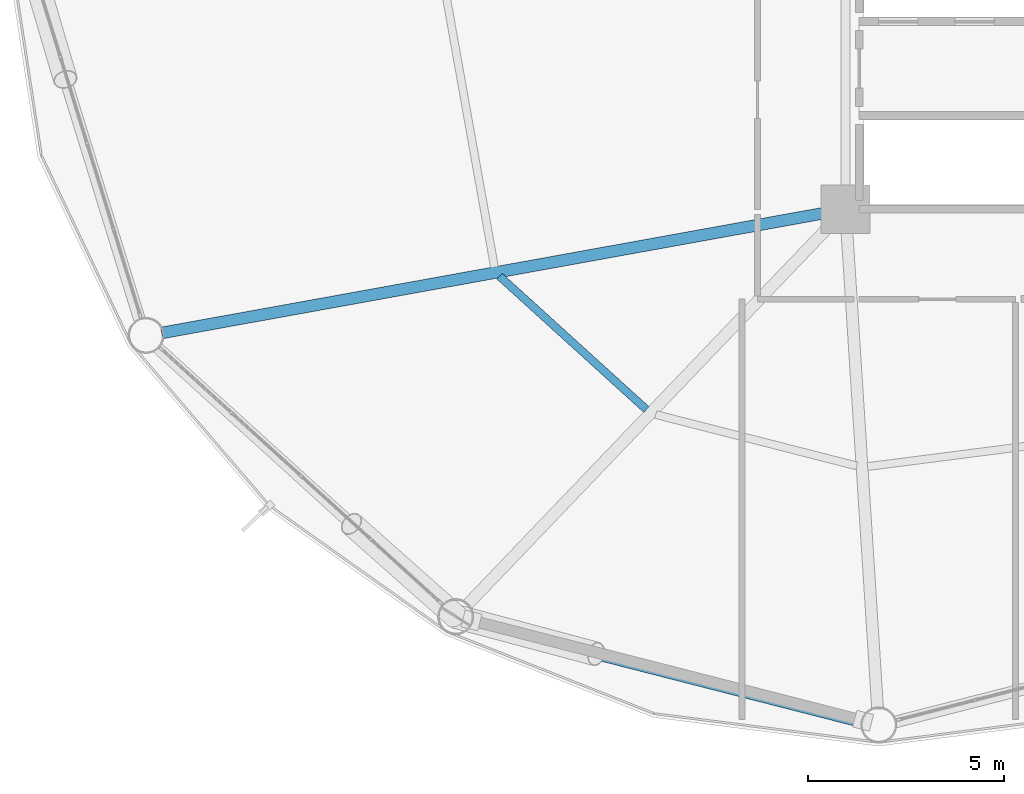
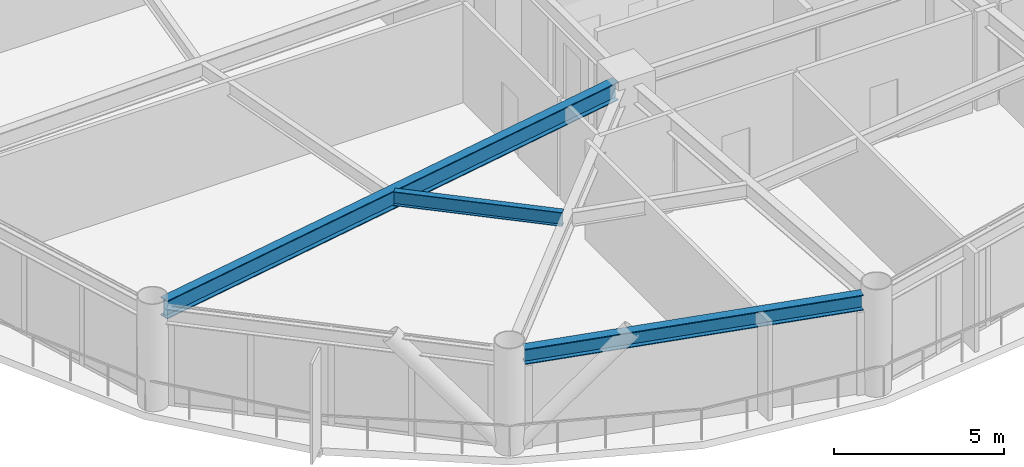
# One storey, part 4 of 25: 3 beams.
"""IFC4 building model written with IfcOpenShell, lengths in metres."""

from ifc_helpers import new_model, si_unit, direction, frame, origin, origin_2d, place, context, subcontext, project, spatial, i_section, extrude, material, material_profile, profile_set, type_object, element, save


model = new_model("IFC4")

# Units and contexts
model_context = context("Model", 3, precision=1e-05, world=origin(), true_north=direction((0.0, 1.0)))
body_context = subcontext(model_context, "Body", "Model", "MODEL_VIEW")
ifc_project = project(units=[si_unit("LENGTHUNIT", "METRE"), si_unit("AREAUNIT", "SQUARE_METRE"), si_unit("VOLUMEUNIT", "CUBIC_METRE"), si_unit("PLANEANGLEUNIT", "RADIAN"), si_unit("MASSUNIT", "GRAM", prefix="KILO")], contexts=[model_context])

# Site, building, storey
site_placement = place(None, origin())
site = spatial("IfcSite", under=ifc_project, at=site_placement, CompositionType="ELEMENT")
building_placement = place(site_placement, origin())
building = spatial("IfcBuilding", under=site, at=building_placement, Name="Varnakorn Sky Granary", CompositionType="ELEMENT")
storey_placement = place(building_placement, frame((0.0, 0.0, 74.39990234375)))
storey = spatial("IfcBuildingStorey", under=building, at=storey_placement, Name="L18", CompositionType="ELEMENT", Elevation=74.39990234375)

# Beams
ifc_material = material(Name="Steel S355JR", Category="steel")
ifc_material_profile_1 = material_profile(ifc_material, i_section(OverallWidth=0.300048828125, OverallDepth=0.64990234375, WebThickness=0.01611328125, FlangeThickness=0.031005859375, at=origin_2d()), Name="HE 650 B")
ifc_profile_set_1 = profile_set([ifc_material_profile_1], Name="Steel S355JR")
beam_type_1 = type_object("IfcBeamType", Name="BM-RAD-Z1", PredefinedType="BEAM", material=ifc_profile_set_1)
beam_1_placement = place(storey_placement, frame((-2.76318359375, -6.6748046875, 3.22509765625), z_axis=(-0.984031600185, -0.177993847749, 0.0), x_axis=(0.177993847749, -0.984031600185, 0.0)))
element("IfcBeam", 1, at=beam_1_placement, inside=storey, type_object=beam_type_1, Name="Radial Floor Girder RG08 L18", PredefinedType="BEAM", context=body_context, shape_type="SweptSolid", body=[
    extrude(i_section(OverallWidth=0.300048828125, OverallDepth=0.64990234375, WebThickness=0.01611328125, FlangeThickness=0.031005859375, at=origin_2d()), origin(), (0.0, 0.0, 1.0), 17.35107421875),
])
ifc_material_profile_2 = material_profile(ifc_material, i_section(OverallWidth=0.199951171875, OverallDepth=0.5, WebThickness=0.01025390625, FlangeThickness=0.01611328125, at=origin_2d()), Name="IPE 500")
ifc_profile_set_2 = profile_set([ifc_material_profile_2], Name="Steel S355JR")
beam_type_2 = type_object("IfcBeamType", Name="BM-SEC-Z1", PredefinedType="BEAM", material=ifc_profile_set_2)
beam_2_placement = place(storey_placement, frame((-11.196533203125, -8.31298828125, 3.300048828125), z_axis=(0.740569176619, -0.671980129649, 0.0), x_axis=(0.671980129649, 0.740569176619, 0.0)))
element("IfcBeam", 2, at=beam_2_placement, inside=storey, type_object=beam_type_2, Name="Secondary Floor Chord Beam MSB08 L18", PredefinedType="BEAM", context=body_context, shape_type="SweptSolid", body=[
    extrude(i_section(OverallWidth=0.199951171875, OverallDepth=0.5, WebThickness=0.01025390625, FlangeThickness=0.01611328125, at=origin_2d()), origin(), (0.0, 0.0, 1.0), 5.072265625),
])
ifc_material_profile_3 = material_profile(ifc_material, i_section(OverallWidth=0.300048828125, OverallDepth=0.550048828125, WebThickness=0.014892578125, FlangeThickness=0.029052734375, at=origin_2d()), Name="HE 550 B")
ifc_profile_set_3 = profile_set([ifc_material_profile_3], Name="Steel S355JR")
beam_type_3 = type_object("IfcBeamType", Name="BM-SPD-Z1", PredefinedType="SPANDREL", material=ifc_profile_set_3)
beam_3_placement = place(storey_placement, frame((-11.909912109375, -17.15625, 3.275146484375), z_axis=(0.96880812905, -0.247812043869, 0.0), x_axis=(0.247812043869, 0.96880812905, 0.0)))
element("IfcBeam", 3, at=beam_3_placement, inside=storey, type_object=beam_type_3, Name="Perimeter Spandrel Ring Beam RB09 L18", PredefinedType="SPANDREL", context=body_context, shape_type="SweptSolid", body=[
    extrude(i_section(OverallWidth=0.300048828125, OverallDepth=0.550048828125, WebThickness=0.014892578125, FlangeThickness=0.029052734375, at=origin_2d()), origin(), (0.0, 0.0, 1.0), 10.302978515625),
])

save(model, "model.ifc")
